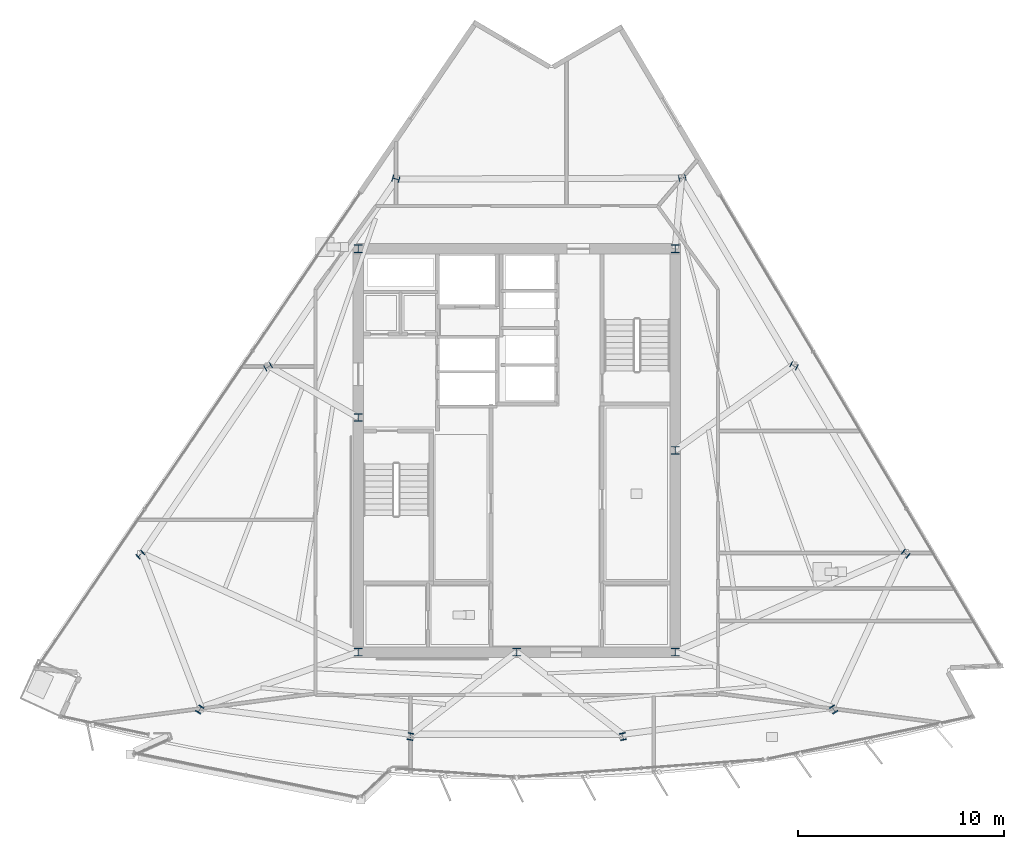
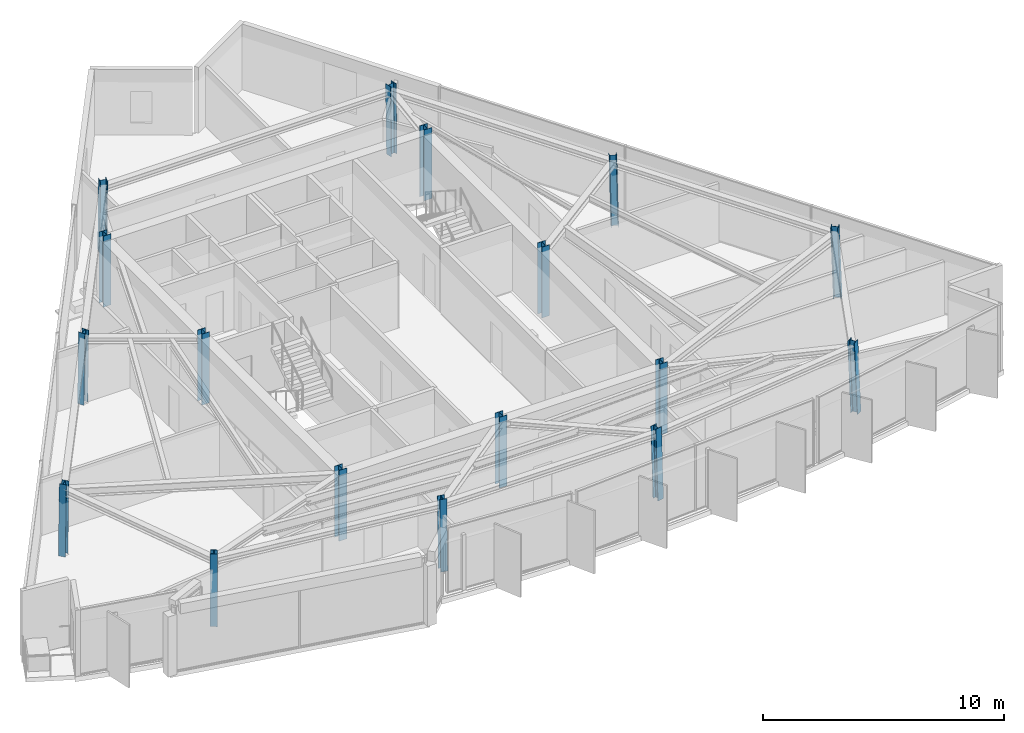
# One storey, part 1 of 13: 17 columns.
"""IFC4 building model written with IfcOpenShell, lengths in metres."""

from ifc_helpers import new_model, si_unit, direction, frame, origin, origin_2d, place, context, subcontext, project, spatial, i_section, extrude, material, material_profile, profile_set, type_object, element, save


model = new_model("IFC4")

# Units and contexts
model_context = context("Model", 3, precision=1e-05, world=origin(), true_north=direction((0.0, 1.0)))
body_context = subcontext(model_context, "Body", "Model", "MODEL_VIEW")
ifc_project = project(units=[si_unit("LENGTHUNIT", "METRE"), si_unit("AREAUNIT", "SQUARE_METRE"), si_unit("VOLUMEUNIT", "CUBIC_METRE"), si_unit("PLANEANGLEUNIT", "RADIAN"), si_unit("MASSUNIT", "GRAM", prefix="KILO")], contexts=[model_context])

# Site, building, storey
site_placement = place(None, origin())
site = spatial("IfcSite", under=ifc_project, at=site_placement, CompositionType="ELEMENT")
building_placement = place(site_placement, origin())
building = spatial("IfcBuilding", under=site, at=building_placement, Name="Savorim Split Tower", CompositionType="ELEMENT")
storey_placement = place(building_placement, frame((0.0, 0.0, 276.0)))
storey = spatial("IfcBuildingStorey", under=building, at=storey_placement, Name="L73", CompositionType="ELEMENT", Elevation=276.0)

# Columns
ifc_material = material(Name="Steel S355", Category="steel")
ifc_material_profile_1 = material_profile(ifc_material, i_section(OverallWidth=0.30908203125, OverallDepth=0.330078125, WebThickness=0.011474609375, FlangeThickness=0.01904296875, FilletRadius=0.027099609375, at=origin_2d()), Name="HD 320x158")
ifc_profile_set_1 = profile_set([ifc_material_profile_1], Name="Steel S355")
column_type_1 = type_object("IfcColumnType", Name="COL-HD-158", PredefinedType="COLUMN", material=ifc_profile_set_1)
column_1_placement = place(storey_placement, frame((-15.409423828125, -12.20654296875, 0.005615234375), z_axis=(0.021207106828, 0.034461548595, 0.999180994759), x_axis=(-0.851658316705, 0.524097425664, 0.0)))
element("IfcColumn", 1, at=column_1_placement, inside=storey, type_object=column_type_1, Name="L73 Tapered Perimeter Column PC-S1", PredefinedType="COLUMN", context=body_context, shape_type="SweptSolid", body=[
    extrude(i_section(OverallWidth=0.30908203125, OverallDepth=0.330078125, WebThickness=0.011474609375, FlangeThickness=0.01904296875, FilletRadius=0.027099609375, at=origin_2d()), origin(), (0.0, 0.0, 1.0), 3.591796875),
])
for number, where, z_axis, x_axis, name in (
    (2, (-5.16455078125, -13.521728515625, 0.005615234375), (0.007137984635, 0.036233769623, 0.999317848892), (-0.981142984211, 0.193283327096, 0.0), "L73 Tapered Perimeter Column PC-S2"),
    (3, (5.16455078125, -13.521728515625, 0.005615234375), (-0.007137984635, 0.036233769623, 0.999317848892), (-0.981142984211, -0.193283327096, 0.0), "L73 Tapered Perimeter Column PC-S3"),
):
    element("IfcColumn", number, at=place(storey_placement, frame(where, z_axis=z_axis, x_axis=x_axis)), inside=storey, type_object=column_type_1, Name=name, PredefinedType="COLUMN", context=body_context, shape_type="SweptSolid", body=[
        extrude(i_section(OverallWidth=0.30908203125, OverallDepth=0.330078125, WebThickness=0.011474609375, FlangeThickness=0.01904296875, FilletRadius=0.027099609375, at=origin_2d()), origin(), (0.0, 0.0, 1.0), 3.59130859375),
    ])
column_2_placement = place(storey_placement, frame((15.409423828125, -12.20654296875, 0.005615234375), z_axis=(-0.021207106828, 0.034461548595, 0.999180994759), x_axis=(-0.851658316705, -0.524097425664, 0.0)))
element("IfcColumn", 4, at=column_2_placement, inside=storey, type_object=column_type_1, Name="L73 Tapered Perimeter Column PC-S4", PredefinedType="COLUMN", context=body_context, shape_type="SweptSolid", body=[
    extrude(i_section(OverallWidth=0.30908203125, OverallDepth=0.330078125, WebThickness=0.011474609375, FlangeThickness=0.01904296875, FilletRadius=0.027099609375, at=origin_2d()), origin(), (0.0, 0.0, 1.0), 3.591796875),
])
column_3_placement = place(storey_placement, frame((18.916748046875, -4.630126953125, 0.005615234375), z_axis=(-0.026786477051, 0.022231416233, 0.999393940736), x_axis=(-0.638646294968, -0.7695004288, 0.0)))
element("IfcColumn", 5, at=column_3_placement, inside=storey, type_object=column_type_1, Name="L73 Tapered Perimeter Column PC-E1", PredefinedType="COLUMN", context=body_context, shape_type="SweptSolid", body=[
    extrude(i_section(OverallWidth=0.30908203125, OverallDepth=0.330078125, WebThickness=0.011474609375, FlangeThickness=0.01904296875, FilletRadius=0.027099609375, at=origin_2d()), origin(), (0.0, 0.0, 1.0), 3.591064453125),
])
column_4_placement = place(storey_placement, frame((13.48583984375, 4.50341796875, 0.005615234375), z_axis=(-0.019451168192, 0.009793595174, 0.999762840652), x_axis=(-0.449710241045, -0.893174506521, 0.0)))
element("IfcColumn", 6, at=column_4_placement, inside=storey, type_object=column_type_1, Name="L73 Tapered Perimeter Column PC-E2", PredefinedType="COLUMN", context=body_context, shape_type="SweptSolid", body=[
    extrude(i_section(OverallWidth=0.30908203125, OverallDepth=0.330078125, WebThickness=0.011474609375, FlangeThickness=0.01904296875, FilletRadius=0.027099609375, at=origin_2d()), origin(), (0.0, 0.0, 1.0), 3.589599609375),
])
for number, where, z_axis, x_axis, name in (
    (7, (8.0546875, 13.636962890625, 0.005615234375), (-0.012039903353, -0.002584838008, 0.999924176795), (0.209906311695, -0.977721504474, 0.0), "L73 Tapered Perimeter Column PC-E3"),
    (8, (-5.869140625, 13.588134765625, 0.005615234375), (0.009047218528, -0.002584919579, 0.999955732034), (0.274721127897, 0.961523947641, 0.0), "L73 Tapered Perimeter Column PC-W1"),
):
    element("IfcColumn", number, at=place(storey_placement, frame(where, z_axis=z_axis, x_axis=x_axis)), inside=storey, type_object=column_type_1, Name=name, PredefinedType="COLUMN", context=body_context, shape_type="SweptSolid", body=[
        extrude(i_section(OverallWidth=0.30908203125, OverallDepth=0.330078125, WebThickness=0.011474609375, FlangeThickness=0.01904296875, FilletRadius=0.027099609375, at=origin_2d()), origin(), (0.0, 0.0, 1.0), 3.589111328125),
    ])
column_5_placement = place(storey_placement, frame((-12.08251953125, 4.45458984375, 0.005615234375), z_axis=(0.017479483538, 0.009793951865, 0.999799252931), x_axis=(-0.488810085697, 0.87239022239, 0.0)))
element("IfcColumn", 9, at=column_5_placement, inside=storey, type_object=column_type_1, Name="L73 Tapered Perimeter Column PC-W2", PredefinedType="COLUMN", context=body_context, shape_type="SweptSolid", body=[
    extrude(i_section(OverallWidth=0.30908203125, OverallDepth=0.330078125, WebThickness=0.011474609375, FlangeThickness=0.01904296875, FilletRadius=0.027099609375, at=origin_2d()), origin(), (0.0, 0.0, 1.0), 3.589599609375),
])
column_6_placement = place(storey_placement, frame((-18.2958984375, -4.678955078125, 0.005615234375), z_axis=(0.025903262414, 0.022231933883, 0.999417211235), x_axis=(-0.65128330188, 0.758834672832, 0.0)))
element("IfcColumn", 10, at=column_6_placement, inside=storey, type_object=column_type_1, Name="L73 Tapered Perimeter Column PC-W3", PredefinedType="COLUMN", context=body_context, shape_type="SweptSolid", body=[
    extrude(i_section(OverallWidth=0.30908203125, OverallDepth=0.330078125, WebThickness=0.011474609375, FlangeThickness=0.01904296875, FilletRadius=0.027099609375, at=origin_2d()), origin(), (0.0, 0.0, 1.0), 3.591064453125),
])
ifc_material_profile_2 = material_profile(ifc_material, i_section(OverallWidth=0.3740234375, OverallDepth=0.3720703125, WebThickness=0.01220703125, FlangeThickness=0.02001953125, FilletRadius=0.014892578125, at=origin_2d()), Name="HD 360x196")
ifc_profile_set_2 = profile_set([ifc_material_profile_2], Name="Steel S355")
column_type_2 = type_object("IfcColumnType", Name="COL-HD-196", PredefinedType="COLUMN", material=ifc_profile_set_2)
for number, where, z_axis, x_axis, name in (
    (11, (-7.699951171875, -9.39990234375, 0.0), (0.0, 0.0, 1.0), (1.0, 0.0, 0.0), "L73 Core Structural Column TC-C1"),
    (12, (7.699951171875, -9.39990234375, 0.0), (0.0, 0.0, 1.0), (1.0, 0.0, 0.0), "L73 Core Structural Column TC-C2"),
    (13, (7.699951171875, 10.199951171875, 0.0), (0.0, 0.0, 1.0), (1.0, 0.0, 0.0), "L73 Core Structural Column TC-C3"),
    (14, (-7.699951171875, 10.199951171875, 0.0), (0.0, 0.0, 1.0), (1.0, 0.0, 0.0), "L73 Core Structural Column TC-C4"),
    (15, (0.0, -9.39990234375, 0.0), (0.0, 0.0, 1.0), (1.0, 0.0, 0.0), "L73 Core Structural Column TC-C5"),
    (16, (7.699951171875, 0.39990234375, 0.0), (0.0, 0.0, 1.0), (1.0, 0.0, 0.0), "L73 Core Structural Column TC-C6"),
    (17, (-7.699951171875, 2.0, 0.0), (0.0, 0.0, 1.0), (1.0, 0.0, 0.0), "L73 Core Structural Column TC-C7"),
):
    element("IfcColumn", number, at=place(storey_placement, frame(where, z_axis=z_axis, x_axis=x_axis)), inside=storey, type_object=column_type_2, Name=name, PredefinedType="COLUMN", context=body_context, shape_type="SweptSolid", body=[
        extrude(i_section(OverallWidth=0.3740234375, OverallDepth=0.3720703125, WebThickness=0.01220703125, FlangeThickness=0.02001953125, FilletRadius=0.014892578125, at=origin_2d()), origin(), (0.0, 0.0, 1.0), 3.60009765625),
    ])

save(model, "model.ifc")
